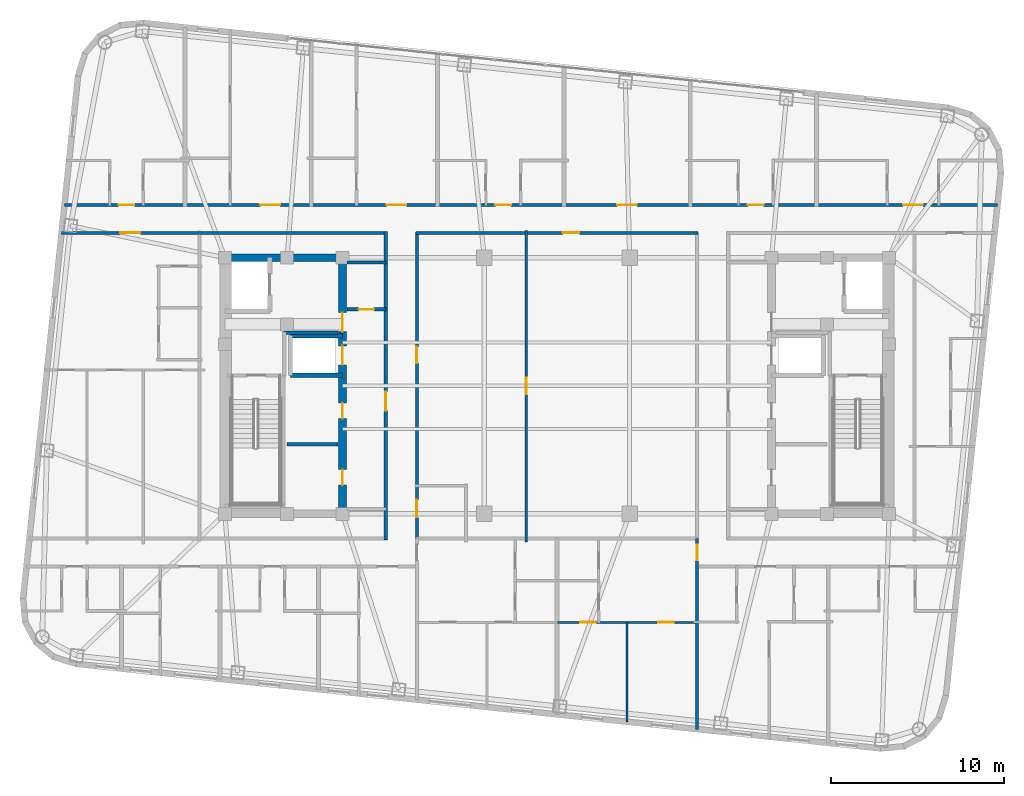
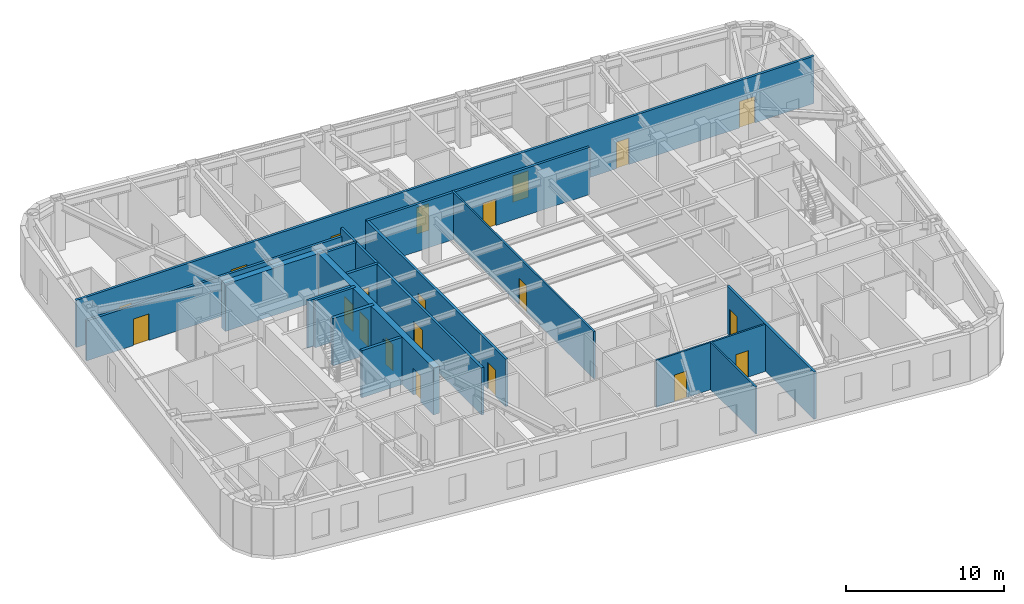
# One storey, part 10 of 15: 21 doors, 17 walls, 21 openings.
"""IFC4 building model written with IfcOpenShell, lengths in metres."""

from ifc_helpers import new_model, si_unit, direction, frame, frame_2d, origin, place, context, subcontext, project, spatial, rectangle, extrude, material, layer, layer_set, type_object, element, fill, save


model = new_model("IFC4")

# Units and contexts
model_context = context("Model", 3, precision=1e-05, world=origin(), true_north=direction((0.0, 1.0)))
body_context = subcontext(model_context, "Body", "Model", "MODEL_VIEW")
ifc_project = project(units=[si_unit("LENGTHUNIT", "METRE"), si_unit("AREAUNIT", "SQUARE_METRE"), si_unit("VOLUMEUNIT", "CUBIC_METRE"), si_unit("PLANEANGLEUNIT", "RADIAN"), si_unit("MASSUNIT", "GRAM", prefix="KILO")], contexts=[model_context])

# Site, building, storey
site_placement = place(None, origin())
site = spatial("IfcSite", under=ifc_project, at=site_placement, CompositionType="ELEMENT")
building_placement = place(site_placement, origin())
building = spatial("IfcBuilding", under=site, at=building_placement, Name="Voryun Gate Residences", CompositionType="ELEMENT")
storey_placement = place(building_placement, frame((0.0, 0.0, 263.89990234375)))
storey = spatial("IfcBuildingStorey", under=building, at=storey_placement, Name="L65", CompositionType="ELEMENT", Elevation=263.89990234375)

# Wall
ifc_material_1 = material(Name="Concrete C50/60", Category="concrete")
ifc_layer_1 = layer(ifc_material_1, 0.449951171875, Name="CW_CORE_450")
ifc_layer_set_1 = layer_set([ifc_layer_1], Name="Concrete C50/60")
wall_type_1 = type_object("IfcWallType", Name="CW_CORE_450", PredefinedType="SHEAR", material=ifc_layer_set_1)
wall_1_placement = place(storey_placement, frame((-19.425048828125, 7.39990234375, 0.0), z_axis=(0.0, 0.0, 1.0), x_axis=(1.0, 0.0, 0.0)))
element("IfcWall", 1, at=wall_1_placement, inside=storey, type_object=wall_type_1, Name="L65 Core shear wall CW-L65-WN", PredefinedType="SHEAR", context=body_context, shape_type="SweptSolid", body=[
    extrude(rectangle(XDim=7.25, YDim=0.449951171875, at=frame_2d((3.625, 0.0))), origin(), (0.0, 0.0, 1.0), 3.650146484375),
])

# Wall, openings, doors
wall_2_placement = place(storey_placement, frame((-12.39990234375, -7.39990234375, 0.0), z_axis=(0.0, 0.0, 1.0), x_axis=(0.0, 1.0, 0.0)))
wall_2 = element("IfcWall", 2, at=wall_2_placement, inside=storey, type_object=wall_type_1, Name="L65 Core shear wall CW-L65-WE", PredefinedType="SHEAR", context=body_context, shape_type="SweptSolid", body=[
    extrude(rectangle(XDim=14.7998046875, YDim=0.449951171875, at=frame_2d((7.39990234375, 0.0))), origin(), (0.0, 0.0, 1.0), 3.650146484375),
])
opening_1_placement = place(wall_2_placement, frame((8.60009765625, 0.0, 0.0)))
opening_1 = element("IfcOpeningElement", 3, at=opening_1_placement, cuts=wall_2, Name="Opening LD2", PredefinedType="OPENING", context=body_context, shape_type="SweptSolid", body=[
    extrude(rectangle(XDim=1.10009765625, YDim=2.050048828125, at=frame_2d((0.550048828125, 1.02490234375))), frame((0.0, 0.235107421875, 0.0), z_axis=(0.0, -1.0, 0.0), x_axis=(1.0, 0.0, 0.0)), (0.0, 0.0, 1.0), 0.469970703125),
])
opening_2_placement = place(wall_2_placement, frame((10.530029296875, 0.0, 0.0)))
opening_2 = element("IfcOpeningElement", 4, at=opening_2_placement, cuts=wall_2, Name="Opening D-FD60-2", PredefinedType="OPENING", context=body_context, shape_type="SweptSolid", body=[
    extrude(rectangle(XDim=1.10009765625, YDim=2.050048828125, at=frame_2d((0.550048828125, 1.02490234375))), frame((0.0, 0.235107421875, 0.0), z_axis=(0.0, -1.0, 0.0), x_axis=(1.0, 0.0, 0.0)), (0.0, 0.0, 1.0), 0.469970703125),
])
opening_3_placement = place(wall_2_placement, frame((1.64990234375, 0.0, 0.0)))
opening_3 = element("IfcOpeningElement", 5, at=opening_3_placement, cuts=wall_2, Name="Opening D-FD60-4", PredefinedType="OPENING", context=body_context, shape_type="SweptSolid", body=[
    extrude(rectangle(XDim=0.89990234375, YDim=2.050048828125, at=frame_2d((0.449951171875, 1.02490234375))), frame((0.0, 0.235107421875, 0.0), z_axis=(0.0, -1.0, 0.0), x_axis=(1.0, 0.0, 0.0)), (0.0, 0.0, 1.0), 0.469970703125),
])
opening_4_placement = place(wall_2_placement, frame((5.5, 0.0, 0.0)))
opening_4 = element("IfcOpeningElement", 6, at=opening_4_placement, cuts=wall_2, Name="Opening D-FD60-4", PredefinedType="OPENING", context=body_context, shape_type="SweptSolid", body=[
    extrude(rectangle(XDim=0.89990234375, YDim=2.050048828125, at=frame_2d((0.449951171875, 1.02490234375))), frame((0.0, 0.235107421875, 0.0), z_axis=(0.0, -1.0, 0.0), x_axis=(1.0, 0.0, 0.0)), (0.0, 0.0, 1.0), 0.469970703125),
])
ifc_material_2 = material(Name="Painted steel fire door", Category="steel")
door_type_1 = type_object("IfcDoorType", Name="DR_FD60_FFLOB_1100", OperationType="NOTDEFINED", PredefinedType="DOOR", material=ifc_material_2)
door_1_placement = place(opening_2_placement, origin())
door_1 = element("IfcDoor", 7, at=door_1_placement, inside=storey, type_object=door_type_1, Name="Door DR-L65-CLOB-W", OperationType="SINGLE_SWING_LEFT", OverallHeight=2.050048828125, OverallWidth=1.10009765625, PredefinedType="DOOR", context=body_context, shape_type="SweptSolid", body=[
    extrude(rectangle(XDim=1.10009765625, YDim=2.050048828125, at=frame_2d((0.550048828125, 1.02490234375))), frame((0.0, 0.02490234375, 0.0), z_axis=(0.0, -1.0, 0.0), x_axis=(1.0, 0.0, 0.0)), (0.0, 0.0, 1.0), 0.050048828125),
])
fill(opening_2, door_1)
ifc_material_3 = material(Name="Painted steel fire door", Category="steel")
door_type_2 = type_object("IfcDoorType", Name="DR_FD60_RISER_900", OperationType="NOTDEFINED", PredefinedType="DOOR", material=ifc_material_3)
door_2_placement = place(opening_3_placement, origin())
door_2 = element("IfcDoor", 8, at=door_2_placement, inside=storey, type_object=door_type_2, Name="Door DR-L65-RECW-HS", OperationType="SINGLE_SWING_LEFT", OverallHeight=2.050048828125, OverallWidth=0.89990234375, PredefinedType="DOOR", context=body_context, shape_type="SweptSolid", body=[
    extrude(rectangle(XDim=0.89990234375, YDim=2.050048828125, at=frame_2d((0.449951171875, 1.02490234375))), frame((0.0, 0.02490234375, 0.0), z_axis=(0.0, -1.0, 0.0), x_axis=(1.0, 0.0, 0.0)), (0.0, 0.0, 1.0), 0.050048828125),
])
fill(opening_3, door_2)
door_3_placement = place(opening_4_placement, origin())
door_3 = element("IfcDoor", 9, at=door_3_placement, inside=storey, type_object=door_type_2, Name="Door DR-L65-RECW-HN", OperationType="SINGLE_SWING_RIGHT", OverallHeight=2.050048828125, OverallWidth=0.89990234375, PredefinedType="DOOR", context=body_context, shape_type="SweptSolid", body=[
    extrude(rectangle(XDim=0.89990234375, YDim=2.050048828125, at=frame_2d((0.449951171875, 1.02490234375))), frame((0.0, 0.02490234375, 0.0), z_axis=(0.0, -1.0, 0.0), x_axis=(1.0, 0.0, 0.0)), (0.0, 0.0, 1.0), 0.050048828125),
])
fill(opening_4, door_3)
ifc_material_4 = material(Name="Anodised aluminium", Category="aluminium")
door_type_3 = type_object("IfcDoorType", Name="DR_LD_PASS_1100", OperationType="NOTDEFINED", PredefinedType="DOOR", material=ifc_material_4)
door_4_placement = place(opening_1_placement, origin())
door_4 = element("IfcDoor", 10, at=door_4_placement, inside=storey, type_object=door_type_3, Name="Lift EL-P7 sliding landing door L65", OperationType="SLIDING_TO_LEFT", OverallHeight=2.050048828125, OverallWidth=1.10009765625, PredefinedType="DOOR", context=body_context, shape_type="SweptSolid", body=[
    extrude(rectangle(XDim=1.10009765625, YDim=2.050048828125, at=frame_2d((0.550048828125, 1.02490234375))), frame((0.0, 0.02490234375, 0.0), z_axis=(0.0, -1.0, 0.0), x_axis=(1.0, 0.0, 0.0)), (0.0, 0.0, 1.0), 0.050048828125),
])
fill(opening_1, door_4)

# Wall
ifc_material_5 = material(Name="Gypsum acoustic fireboard")
ifc_layer_2 = layer(ifc_material_5, 0.179931640625, Name="W_CORR_RATED_180")
ifc_layer_set_2 = layer_set([ifc_layer_2], Name="Gypsum acoustic fireboard")
wall_type_2 = type_object("IfcWallType", Name="W_CORR_RATED_180", PredefinedType="PARTITIONING", material=ifc_layer_set_2)
wall_3_placement = place(storey_placement, frame((-12.14990234375, 7.1201171875, 0.0), z_axis=(0.0, 0.0, 1.0), x_axis=(1.0, 0.0, 0.0)))
element("IfcWall", 11, at=wall_3_placement, inside=storey, type_object=wall_type_2, Name="Partition wall WP-L65-PLBN-W", PredefinedType="PARTITIONING", context=body_context, shape_type="SweptSolid", body=[
    extrude(rectangle(XDim=2.27001953125, YDim=0.179931640625, at=frame_2d((1.135009765625, 0.0))), origin(), (0.0, 0.0, 1.0), 3.650146484375),
])

# Wall, opening, door
wall_4_placement = place(storey_placement, frame((-9.89990234375, -8.929931640625, 0.0), z_axis=(0.0, 0.0, 1.0), x_axis=(0.0, 1.0, 0.0)))
wall_4 = element("IfcWall", 12, at=wall_4_placement, inside=storey, type_object=wall_type_2, Name="Partition wall WP-L65-PLBW-FULL", PredefinedType="PARTITIONING", context=body_context, shape_type="SweptSolid", body=[
    extrude(rectangle(XDim=17.85986328125, YDim=0.179931640625, at=frame_2d((8.929931640625, 0.0))), origin(), (0.0, 0.0, 1.0), 3.650146484375),
])
opening_5_placement = place(wall_4_placement, frame((7.487060546875, 0.0, 0.0)))
opening_5 = element("IfcOpeningElement", 13, at=opening_5_placement, cuts=wall_4, Name="Opening D-FD60-2", PredefinedType="OPENING", context=body_context, shape_type="SweptSolid", body=[
    extrude(rectangle(XDim=1.10009765625, YDim=2.050048828125, at=frame_2d((0.550048828125, 1.02490234375))), frame((0.0, 0.099853515625, 0.0), z_axis=(0.0, -1.0, 0.0), x_axis=(1.0, 0.0, 0.0)), (0.0, 0.0, 1.0), 0.199951171875),
])
door_5_placement = place(opening_5_placement, origin())
door_5 = element("IfcDoor", 14, at=door_5_placement, inside=storey, type_object=door_type_1, Name="Door DR-L65-PLBW-COR", OperationType="SINGLE_SWING_LEFT", OverallHeight=2.050048828125, OverallWidth=1.10009765625, PredefinedType="DOOR", context=body_context, shape_type="SweptSolid", body=[
    extrude(rectangle(XDim=1.10009765625, YDim=2.050048828125, at=frame_2d((0.550048828125, 1.02490234375))), frame((0.0, 0.02490234375, 0.0), z_axis=(0.0, -1.0, 0.0), x_axis=(1.0, 0.0, 0.0)), (0.0, 0.0, 1.0), 0.050048828125),
])
fill(opening_5, door_5)

wall_5_placement = place(storey_placement, frame((-28.648681640625, 8.840087890625, 0.0), z_axis=(0.0, 0.0, 1.0), x_axis=(1.0, 0.0, 0.0)))
wall_5 = element("IfcWall", 15, at=wall_5_placement, inside=storey, type_object=wall_type_2, Name="Partition wall WP-L65-CWING-WN", PredefinedType="PARTITIONING", context=body_context, shape_type="SweptSolid", body=[
    extrude(rectangle(XDim=18.768798828125, YDim=0.179931640625, at=frame_2d((9.38427734375, 0.0))), origin(), (0.0, 0.0, 1.0), 3.090087890625),
])
opening_6_placement = place(wall_5_placement, frame((3.40966796875, 0.0, 0.0)))
opening_6 = element("IfcOpeningElement", 16, at=opening_6_placement, cuts=wall_5, Name="Opening D-UNIT-1", PredefinedType="OPENING", context=body_context, shape_type="SweptSolid", body=[
    extrude(rectangle(XDim=1.14990234375, YDim=2.050048828125, at=frame_2d((0.574951171875, 1.02490234375))), frame((0.0, 0.099853515625, 0.0), z_axis=(0.0, -1.0, 0.0), x_axis=(1.0, 0.0, 0.0)), (0.0, 0.0, 1.0), 0.199951171875),
])
ifc_material_6 = material(Name="Armoured timber-clad fire door", Category="wood")
door_type_4 = type_object("IfcDoorType", Name="DR_UNIT_ENTRY_1150", OperationType="NOTDEFINED", PredefinedType="DOOR", material=ifc_material_6)
door_6_placement = place(opening_6_placement, origin())
door_6 = element("IfcDoor", 17, at=door_6_placement, inside=storey, type_object=door_type_4, Name="Door DR-L65-WE1N", OperationType="SINGLE_SWING_LEFT", OverallHeight=2.050048828125, OverallWidth=1.14990234375, PredefinedType="DOOR", context=body_context, shape_type="SweptSolid", body=[
    extrude(rectangle(XDim=1.14990234375, YDim=2.050048828125, at=frame_2d((0.574951171875, 1.02490234375))), frame((0.0, 0.02490234375, 0.0), z_axis=(0.0, -1.0, 0.0), x_axis=(1.0, 0.0, 0.0)), (0.0, 0.0, 1.0), 0.050048828125),
])
fill(opening_6, door_6)

wall_6_placement = place(storey_placement, frame((-8.14990234375, 8.840087890625, 0.0), z_axis=(0.0, 0.0, 1.0), x_axis=(1.0, 0.0, 0.0)))
wall_6 = element("IfcWall", 18, at=wall_6_placement, inside=storey, type_object=wall_type_2, Name="Partition wall WP-L65-Z3N", PredefinedType="PARTITIONING", context=body_context, shape_type="SweptSolid", body=[
    extrude(rectangle(XDim=16.2998046875, YDim=0.179931640625, at=frame_2d((8.14990234375, 0.0))), origin(), (0.0, 0.0, 1.0), 3.650146484375),
])
opening_7_placement = place(wall_6_placement, frame((8.489990234375, 0.0, 0.0)))
opening_7 = element("IfcOpeningElement", 19, at=opening_7_placement, cuts=wall_6, Name="Opening D-INT-1", PredefinedType="OPENING", context=body_context, shape_type="SweptSolid", body=[
    extrude(rectangle(XDim=0.949951171875, YDim=2.050048828125, at=frame_2d((0.47509765625, 1.02490234375))), frame((0.0, 0.099853515625, 0.0), z_axis=(0.0, -1.0, 0.0), x_axis=(1.0, 0.0, 0.0)), (0.0, 0.0, 1.0), 0.199951171875),
])
ifc_material_7 = material(Name="Architectural oak veneer")
door_type_5 = type_object("IfcDoorType", Name="DR_INT_ROOM_950", OperationType="NOTDEFINED", PredefinedType="DOOR", material=ifc_material_7)
door_7_placement = place(opening_7_placement, origin())
door_7 = element("IfcDoor", 20, at=door_7_placement, inside=storey, type_object=door_type_5, Name="Door DR-L65-CMIDZ3N", OperationType="SINGLE_SWING_LEFT", OverallHeight=2.050048828125, OverallWidth=0.949951171875, PredefinedType="DOOR", context=body_context, shape_type="SweptSolid", body=[
    extrude(rectangle(XDim=0.949951171875, YDim=2.050048828125, at=frame_2d((0.47509765625, 1.02490234375))), frame((0.0, 0.02490234375, 0.0), z_axis=(0.0, -1.0, 0.0), x_axis=(1.0, 0.0, 0.0)), (0.0, 0.0, 1.0), 0.050048828125),
])
fill(opening_7, door_7)

# Wall, openings, doors
wall_7_placement = place(storey_placement, frame((-8.10009765625, -8.8798828125, 0.0), z_axis=(0.0, 0.0, 1.0), x_axis=(0.0, 1.0, 0.0)))
wall_7 = element("IfcWall", 21, at=wall_7_placement, inside=storey, type_object=wall_type_2, Name="Partition wall WP-L65-Z3W", PredefinedType="PARTITIONING", context=body_context, shape_type="SweptSolid", body=[
    extrude(rectangle(XDim=17.759765625, YDim=0.179931640625, at=frame_2d((8.8798828125, 0.0))), origin(), (0.0, 0.0, 1.0), 3.650146484375),
])
opening_8_placement = place(wall_7_placement, frame((1.27587890625, 0.0, 0.0)))
opening_8 = element("IfcOpeningElement", 22, at=opening_8_placement, cuts=wall_7, Name="Opening D-AWC-1", PredefinedType="OPENING", context=body_context, shape_type="SweptSolid", body=[
    extrude(rectangle(XDim=1.0, YDim=2.050048828125, at=frame_2d((0.5, 1.02490234375))), frame((0.0, 0.099853515625, 0.0), z_axis=(0.0, -1.0, 0.0), x_axis=(1.0, 0.0, 0.0)), (0.0, 0.0, 1.0), 0.199951171875),
])
opening_9_placement = place(wall_7_placement, frame((10.180908203125, 0.0, 0.0)))
opening_9 = element("IfcOpeningElement", 23, at=opening_9_placement, cuts=wall_7, Name="Opening D-INT-1", PredefinedType="OPENING", context=body_context, shape_type="SweptSolid", body=[
    extrude(rectangle(XDim=0.949951171875, YDim=2.050048828125, at=frame_2d((0.47509765625, 1.02490234375))), frame((0.0, 0.099853515625, 0.0), z_axis=(0.0, -1.0, 0.0), x_axis=(1.0, 0.0, 0.0)), (0.0, 0.0, 1.0), 0.199951171875),
])
ifc_material_8 = material(Name="Architectural oak veneer")
door_type_6 = type_object("IfcDoorType", Name="DR_ACC_WC_1000", OperationType="NOTDEFINED", PredefinedType="DOOR", material=ifc_material_8)
door_8_placement = place(opening_8_placement, origin())
door_8 = element("IfcDoor", 24, at=door_8_placement, inside=storey, type_object=door_type_6, Name="Door DR-L65-CMWC-D", OperationType="SINGLE_SWING_LEFT", OverallHeight=2.050048828125, OverallWidth=1.0, PredefinedType="DOOR", context=body_context, shape_type="SweptSolid", body=[
    extrude(rectangle(XDim=1.0, YDim=2.050048828125, at=frame_2d((0.5, 1.02490234375))), frame((0.0, 0.02490234375, 0.0), z_axis=(0.0, -1.0, 0.0), x_axis=(1.0, 0.0, 0.0)), (0.0, 0.0, 1.0), 0.050048828125),
])
fill(opening_8, door_8)
door_9_placement = place(opening_9_placement, origin())
door_9 = element("IfcDoor", 25, at=door_9_placement, inside=storey, type_object=door_type_5, Name="Door DR-L65-CMIDZ3W", OperationType="SINGLE_SWING_RIGHT", OverallHeight=2.050048828125, OverallWidth=0.949951171875, PredefinedType="DOOR", context=body_context, shape_type="SweptSolid", body=[
    extrude(rectangle(XDim=0.949951171875, YDim=2.050048828125, at=frame_2d((0.47509765625, 1.02490234375))), frame((0.0, 0.02490234375, 0.0), z_axis=(0.0, -1.0, 0.0), x_axis=(1.0, 0.0, 0.0)), (0.0, 0.0, 1.0), 0.050048828125),
])
fill(opening_9, door_9)

wall_8_placement = place(storey_placement, frame((-28.4794921875, 10.449951171875, 0.0), z_axis=(0.0, 0.0, 1.0), x_axis=(1.0, 0.0, 0.0)))
wall_8 = element("IfcWall", 26, at=wall_8_placement, inside=storey, type_object=wall_type_2, Name="Partition wall WP-L65-NCORR", PredefinedType="PARTITIONING", context=body_context, shape_type="SweptSolid", body=[
    extrude(rectangle(XDim=53.95556640625, YDim=0.179931640625, at=frame_2d((26.977783203125, 0.0))), origin(), (0.0, 0.0, 1.0), 3.650146484375),
])
opening_10_placement = place(wall_8_placement, frame((3.143310546875, 0.0, 0.0)))
opening_10 = element("IfcOpeningElement", 27, at=opening_10_placement, cuts=wall_8, Name="Opening D-INT-2", PredefinedType="OPENING", context=body_context, shape_type="SweptSolid", body=[
    extrude(rectangle(XDim=0.89990234375, YDim=2.050048828125, at=frame_2d((0.449951171875, 1.02490234375))), frame((0.0, 0.099853515625, 0.0), z_axis=(0.0, -1.0, 0.0), x_axis=(1.0, 0.0, 0.0)), (0.0, 0.0, 1.0), 0.199951171875),
])
opening_11_placement = place(wall_8_placement, frame((11.32763671875, 0.0, 0.0)))
opening_11 = element("IfcOpeningElement", 28, at=opening_11_placement, cuts=wall_8, Name="Opening D-UNIT-1", PredefinedType="OPENING", context=body_context, shape_type="SweptSolid", body=[
    extrude(rectangle(XDim=1.14990234375, YDim=2.050048828125, at=frame_2d((0.574951171875, 1.02490234375))), frame((0.0, 0.099853515625, 0.0), z_axis=(0.0, -1.0, 0.0), x_axis=(1.0, 0.0, 0.0)), (0.0, 0.0, 1.0), 0.199951171875),
])
opening_12_placement = place(wall_8_placement, frame((18.627685546875, 0.0, 0.0)))
opening_12 = element("IfcOpeningElement", 29, at=opening_12_placement, cuts=wall_8, Name="Opening D-UNIT-1", PredefinedType="OPENING", context=body_context, shape_type="SweptSolid", body=[
    extrude(rectangle(XDim=1.14990234375, YDim=2.050048828125, at=frame_2d((0.574951171875, 1.02490234375))), frame((0.0, 0.099853515625, 0.0), z_axis=(0.0, -1.0, 0.0), x_axis=(1.0, 0.0, 0.0)), (0.0, 0.0, 1.0), 0.199951171875),
])
opening_13_placement = place(wall_8_placement, frame((24.92529296875, 0.0, 0.0)))
opening_13 = element("IfcOpeningElement", 30, at=opening_13_placement, cuts=wall_8, Name="Opening D-INT-2", PredefinedType="OPENING", context=body_context, shape_type="SweptSolid", body=[
    extrude(rectangle(XDim=0.89990234375, YDim=2.050048828125, at=frame_2d((0.449951171875, 1.02490234375))), frame((0.0, 0.099853515625, 0.0), z_axis=(0.0, -1.0, 0.0), x_axis=(1.0, 0.0, 0.0)), (0.0, 0.0, 1.0), 0.199951171875),
])
opening_14_placement = place(wall_8_placement, frame((31.954833984375, 0.0, 0.0)))
opening_14 = element("IfcOpeningElement", 31, at=opening_14_placement, cuts=wall_8, Name="Opening D-UNIT-1", PredefinedType="OPENING", context=body_context, shape_type="SweptSolid", body=[
    extrude(rectangle(XDim=1.14990234375, YDim=2.050048828125, at=frame_2d((0.574951171875, 1.02490234375))), frame((0.0, 0.099853515625, 0.0), z_axis=(0.0, -1.0, 0.0), x_axis=(1.0, 0.0, 0.0)), (0.0, 0.0, 1.0), 0.199951171875),
])
opening_15_placement = place(wall_8_placement, frame((39.520263671875, 0.0, 0.0)))
opening_15 = element("IfcOpeningElement", 32, at=opening_15_placement, cuts=wall_8, Name="Opening D-INT-2", PredefinedType="OPENING", context=body_context, shape_type="SweptSolid", body=[
    extrude(rectangle(XDim=0.89990234375, YDim=2.050048828125, at=frame_2d((0.449951171875, 1.02490234375))), frame((0.0, 0.099853515625, 0.0), z_axis=(0.0, -1.0, 0.0), x_axis=(1.0, 0.0, 0.0)), (0.0, 0.0, 1.0), 0.199951171875),
])
opening_16_placement = place(wall_8_placement, frame((48.48681640625, 0.0, 0.0)))
opening_16 = element("IfcOpeningElement", 33, at=opening_16_placement, cuts=wall_8, Name="Opening D-UNIT-1", PredefinedType="OPENING", context=body_context, shape_type="SweptSolid", body=[
    extrude(rectangle(XDim=1.14990234375, YDim=2.050048828125, at=frame_2d((0.574951171875, 1.02490234375))), frame((0.0, 0.099853515625, 0.0), z_axis=(0.0, -1.0, 0.0), x_axis=(1.0, 0.0, 0.0)), (0.0, 0.0, 1.0), 0.199951171875),
])
ifc_material_9 = material(Name="Architectural oak veneer")
door_type_7 = type_object("IfcDoorType", Name="DR_INT_BATH_900", OperationType="NOTDEFINED", PredefinedType="DOOR", material=ifc_material_9)
door_10_placement = place(opening_10_placement, origin())
door_10 = element("IfcDoor", 34, at=door_10_placement, inside=storey, type_object=door_type_7, Name="Door DR-L65-NENT-1", OperationType="SINGLE_SWING_LEFT", OverallHeight=2.050048828125, OverallWidth=0.89990234375, PredefinedType="DOOR", context=body_context, shape_type="SweptSolid", body=[
    extrude(rectangle(XDim=0.89990234375, YDim=2.050048828125, at=frame_2d((0.449951171875, 1.02490234375))), frame((0.0, 0.02490234375, 0.0), z_axis=(0.0, -1.0, 0.0), x_axis=(1.0, 0.0, 0.0)), (0.0, 0.0, 1.0), 0.050048828125),
])
fill(opening_10, door_10)
door_11_placement = place(opening_13_placement, origin())
door_11 = element("IfcDoor", 35, at=door_11_placement, inside=storey, type_object=door_type_7, Name="Door DR-L65-NENT-4", OperationType="SINGLE_SWING_RIGHT", OverallHeight=2.050048828125, OverallWidth=0.89990234375, PredefinedType="DOOR", context=body_context, shape_type="SweptSolid", body=[
    extrude(rectangle(XDim=0.89990234375, YDim=2.050048828125, at=frame_2d((0.449951171875, 1.02490234375))), frame((0.0, 0.02490234375, 0.0), z_axis=(0.0, -1.0, 0.0), x_axis=(1.0, 0.0, 0.0)), (0.0, 0.0, 1.0), 0.050048828125),
])
fill(opening_13, door_11)
door_12_placement = place(opening_15_placement, origin())
door_12 = element("IfcDoor", 36, at=door_12_placement, inside=storey, type_object=door_type_7, Name="Door DR-L65-NENT-6", OperationType="SINGLE_SWING_RIGHT", OverallHeight=2.050048828125, OverallWidth=0.89990234375, PredefinedType="DOOR", context=body_context, shape_type="SweptSolid", body=[
    extrude(rectangle(XDim=0.89990234375, YDim=2.050048828125, at=frame_2d((0.449951171875, 1.02490234375))), frame((0.0, 0.02490234375, 0.0), z_axis=(0.0, -1.0, 0.0), x_axis=(1.0, 0.0, 0.0)), (0.0, 0.0, 1.0), 0.050048828125),
])
fill(opening_15, door_12)
door_13_placement = place(opening_11_placement, origin())
door_13 = element("IfcDoor", 37, at=door_13_placement, inside=storey, type_object=door_type_4, Name="Door DR-L65-NENT-2", OperationType="SINGLE_SWING_RIGHT", OverallHeight=2.050048828125, OverallWidth=1.14990234375, PredefinedType="DOOR", context=body_context, shape_type="SweptSolid", body=[
    extrude(rectangle(XDim=1.14990234375, YDim=2.050048828125, at=frame_2d((0.574951171875, 1.02490234375))), frame((0.0, 0.02490234375, 0.0), z_axis=(0.0, -1.0, 0.0), x_axis=(1.0, 0.0, 0.0)), (0.0, 0.0, 1.0), 0.050048828125),
])
fill(opening_11, door_13)
door_14_placement = place(opening_12_placement, origin())
door_14 = element("IfcDoor", 38, at=door_14_placement, inside=storey, type_object=door_type_4, Name="Door DR-L65-NENT-3", OperationType="SINGLE_SWING_LEFT", OverallHeight=2.050048828125, OverallWidth=1.14990234375, PredefinedType="DOOR", context=body_context, shape_type="SweptSolid", body=[
    extrude(rectangle(XDim=1.14990234375, YDim=2.050048828125, at=frame_2d((0.574951171875, 1.02490234375))), frame((0.0, 0.02490234375, 0.0), z_axis=(0.0, -1.0, 0.0), x_axis=(1.0, 0.0, 0.0)), (0.0, 0.0, 1.0), 0.050048828125),
])
fill(opening_12, door_14)
door_15_placement = place(opening_14_placement, origin())
door_15 = element("IfcDoor", 39, at=door_15_placement, inside=storey, type_object=door_type_4, Name="Door DR-L65-NENT-5", OperationType="SINGLE_SWING_LEFT", OverallHeight=2.050048828125, OverallWidth=1.14990234375, PredefinedType="DOOR", context=body_context, shape_type="SweptSolid", body=[
    extrude(rectangle(XDim=1.14990234375, YDim=2.050048828125, at=frame_2d((0.574951171875, 1.02490234375))), frame((0.0, 0.02490234375, 0.0), z_axis=(0.0, -1.0, 0.0), x_axis=(1.0, 0.0, 0.0)), (0.0, 0.0, 1.0), 0.050048828125),
])
fill(opening_14, door_15)
door_16_placement = place(opening_16_placement, origin())
door_16 = element("IfcDoor", 40, at=door_16_placement, inside=storey, type_object=door_type_4, Name="Door DR-L65-NENT-7", OperationType="SINGLE_SWING_LEFT", OverallHeight=2.050048828125, OverallWidth=1.14990234375, PredefinedType="DOOR", context=body_context, shape_type="SweptSolid", body=[
    extrude(rectangle(XDim=1.14990234375, YDim=2.050048828125, at=frame_2d((0.574951171875, 1.02490234375))), frame((0.0, 0.02490234375, 0.0), z_axis=(0.0, -1.0, 0.0), x_axis=(1.0, 0.0, 0.0)), (0.0, 0.0, 1.0), 0.050048828125),
])
fill(opening_16, door_16)

# Wall, opening, door
wall_9_placement = place(storey_placement, frame((8.10009765625, -19.857177734375, 0.0), z_axis=(0.0, 0.0, 1.0), x_axis=(0.0, 1.0, 0.0)))
wall_9 = element("IfcWall", 41, at=wall_9_placement, inside=storey, type_object=wall_type_2, Name="Partition wall WP-L65-SZV-2", PredefinedType="PARTITIONING", context=body_context, shape_type="SweptSolid", body=[
    extrude(rectangle(XDim=11.01708984375, YDim=0.179931640625, at=frame_2d((5.508544921875, 0.0))), origin(), (0.0, 0.0, 1.0), 3.650146484375),
])
opening_17_placement = place(wall_9_placement, frame((9.767333984375, 0.0, 0.0)))
opening_17 = element("IfcOpeningElement", 42, at=opening_17_placement, cuts=wall_9, Name="Opening D-INT-2", PredefinedType="OPENING", context=body_context, shape_type="SweptSolid", body=[
    extrude(rectangle(XDim=0.89990234375, YDim=2.050048828125, at=frame_2d((0.449951171875, 1.02490234375))), frame((0.0, 0.099853515625, 0.0), z_axis=(0.0, -1.0, 0.0), x_axis=(1.0, 0.0, 0.0)), (0.0, 0.0, 1.0), 0.199951171875),
])
door_17_placement = place(opening_17_placement, origin())
door_17 = element("IfcDoor", 43, at=door_17_placement, inside=storey, type_object=door_type_7, Name="Door DR-L65-SZENT-2", OperationType="SINGLE_SWING_RIGHT", OverallHeight=2.050048828125, OverallWidth=0.89990234375, PredefinedType="DOOR", context=body_context, shape_type="SweptSolid", body=[
    extrude(rectangle(XDim=0.89990234375, YDim=2.050048828125, at=frame_2d((0.449951171875, 1.02490234375))), frame((0.0, 0.02490234375, 0.0), z_axis=(0.0, -1.0, 0.0), x_axis=(1.0, 0.0, 0.0)), (0.0, 0.0, 1.0), 0.050048828125),
])
fill(opening_17, door_17)

# Walls
ifc_material_10 = material(Name="Concrete C40/50", Category="concrete")
ifc_layer_3 = layer(ifc_material_10, 0.199951171875, Name="W_FF_LOBBY_200")
ifc_layer_set_3 = layer_set([ifc_layer_3], Name="Concrete C40/50")
wall_type_3 = type_object("IfcWallType", Name="W_FF_LOBBY_200", PredefinedType="PARTITIONING", material=ifc_layer_set_3)
wall_10_placement = place(storey_placement, frame((-15.820068359375, 3.06005859375, 0.0), z_axis=(0.0, 0.0, 1.0), x_axis=(1.0, 0.0, 0.0)))
element("IfcWall", 44, at=wall_10_placement, inside=storey, type_object=wall_type_3, Name="Partition wall WP-L65-FFPS-W", PredefinedType="PARTITIONING", context=body_context, shape_type="SweptSolid", body=[
    extrude(rectangle(XDim=3.16015625, YDim=0.199951171875, at=frame_2d((1.580078125, 0.0))), origin(), (0.0, 0.0, 1.0), 3.650146484375),
])
wall_11_placement = place(storey_placement, frame((-15.60009765625, -3.389892578125, 0.0), z_axis=(0.0, 0.0, 1.0), x_axis=(1.0, 0.0, 0.0)))
element("IfcWall", 45, at=wall_11_placement, inside=storey, type_object=wall_type_3, Name="Partition wall WP-L65-RECEY-W", PredefinedType="PARTITIONING", context=body_context, shape_type="SweptSolid", body=[
    extrude(rectangle(XDim=2.940185546875, YDim=0.199951171875, at=frame_2d((1.47021484375, 0.0))), origin(), (0.0, 0.0, 1.0), 3.650146484375),
])

# Wall, opening, door
wall_12_placement = place(storey_placement, frame((-12.14990234375, 4.409912109375, 0.0), z_axis=(0.0, 0.0, 1.0), x_axis=(1.0, 0.0, 0.0)))
wall_12 = element("IfcWall", 46, at=wall_12_placement, inside=storey, type_object=wall_type_3, Name="Partition wall WP-L65-CSFLKS-W", PredefinedType="PARTITIONING", context=body_context, shape_type="SweptSolid", body=[
    extrude(rectangle(XDim=2.27001953125, YDim=0.199951171875, at=frame_2d((1.135009765625, 0.0))), origin(), (0.0, 0.0, 1.0), 3.650146484375),
])
opening_18_placement = place(wall_12_placement, frame((0.68505859375, 0.0, 0.0)))
opening_18 = element("IfcOpeningElement", 47, at=opening_18_placement, cuts=wall_12, Name="Opening D-FD60-4", PredefinedType="OPENING", context=body_context, shape_type="SweptSolid", body=[
    extrude(rectangle(XDim=0.89990234375, YDim=2.050048828125, at=frame_2d((0.449951171875, 1.02490234375))), frame((0.0, 0.110107421875, 0.0), z_axis=(0.0, -1.0, 0.0), x_axis=(1.0, 0.0, 0.0)), (0.0, 0.0, 1.0), 0.219970703125),
])
door_18_placement = place(opening_18_placement, origin())
door_18 = element("IfcDoor", 48, at=door_18_placement, inside=storey, type_object=door_type_2, Name="Door DR-L65-CSFLK-W", OperationType="SINGLE_SWING_LEFT", OverallHeight=2.050048828125, OverallWidth=0.89990234375, PredefinedType="DOOR", context=body_context, shape_type="SweptSolid", body=[
    extrude(rectangle(XDim=0.89990234375, YDim=2.050048828125, at=frame_2d((0.449951171875, 1.02490234375))), frame((0.0, 0.02490234375, 0.0), z_axis=(0.0, -1.0, 0.0), x_axis=(1.0, 0.0, 0.0)), (0.0, 0.0, 1.0), 0.050048828125),
])
fill(opening_18, door_18)

# Walls
ifc_material_11 = material(Name="Concrete C50/60", Category="concrete")
ifc_layer_4 = layer(ifc_material_11, 0.25, Name="W_SHAFT_RC250")
ifc_layer_set_4 = layer_set([ifc_layer_4], Name="Concrete C50/60")
wall_type_4 = type_object("IfcWallType", Name="W_SHAFT_RC250", PredefinedType="SOLIDWALL", material=ifc_layer_set_4)
for number, where, z_axis, x_axis, name in (
    (49, (-15.39990234375, 0.60009765625, 0.0), (0.0, 0.0, 1.0), (1.0, 0.0, 0.0), "Lift shaft wall WSH-L65-EL-P7-S"),
    (50, (-12.39990234375, 2.89990234375, 0.0), (0.0, 0.0, 1.0), (-1.0, 0.0, 0.0), "Lift shaft wall WSH-L65-EL-P7-N"),
):
    element("IfcWall", number, at=place(storey_placement, frame(where, z_axis=z_axis, x_axis=x_axis)), inside=storey, type_object=wall_type_4, Name=name, PredefinedType="SOLIDWALL", context=body_context, shape_type="SweptSolid", body=[
        extrude(rectangle(XDim=3.0, YDim=0.25, at=frame_2d((1.5, 0.0))), origin(), (0.0, 0.0, 1.0), 3.650146484375),
    ])

# Wall, opening, door
ifc_material_12 = material(Name="Gypsum acoustic partition")
ifc_layer_5 = layer(ifc_material_12, 0.125, Name="W_UNIT_PART_125")
ifc_layer_set_5 = layer_set([ifc_layer_5], Name="Gypsum acoustic partition")
wall_type_5 = type_object("IfcWallType", Name="W_UNIT_PART_125", PredefinedType="PARTITIONING", material=ifc_layer_set_5)
wall_13_placement = place(storey_placement, frame((-1.77294921875, -9.02001953125, 0.0), z_axis=(0.0, 0.0, 1.0), x_axis=(0.0, 1.0, 0.0)))
wall_13 = element("IfcWall", 51, at=wall_13_placement, inside=storey, type_object=wall_type_5, Name="Partition wall WP-L65-MIDX-0", PredefinedType="PARTITIONING", context=body_context, shape_type="SweptSolid", body=[
    extrude(rectangle(XDim=17.989990234375, YDim=0.125, at=frame_2d((8.9951171875, 0.0))), origin(), (0.0, 0.0, 1.0), 3.650146484375),
])
opening_19_placement = place(wall_13_placement, frame((8.52001953125, 0.0, 0.0)))
opening_19 = element("IfcOpeningElement", 52, at=opening_19_placement, cuts=wall_13, Name="Opening D-INT-1", PredefinedType="OPENING", context=body_context, shape_type="SweptSolid", body=[
    extrude(rectangle(XDim=0.949951171875, YDim=2.050048828125, at=frame_2d((0.47509765625, 1.02490234375))), frame((0.0, 0.072509765625, 0.0), z_axis=(0.0, -1.0, 0.0), x_axis=(1.0, 0.0, 0.0)), (0.0, 0.0, 1.0), 0.14501953125),
])
door_19_placement = place(opening_19_placement, origin())
door_19 = element("IfcDoor", 53, at=door_19_placement, inside=storey, type_object=door_type_5, Name="Door DR-L65-MIDX-0", OperationType="SINGLE_SWING_LEFT", OverallHeight=2.050048828125, OverallWidth=0.949951171875, PredefinedType="DOOR", context=body_context, shape_type="SweptSolid", body=[
    extrude(rectangle(XDim=0.949951171875, YDim=2.050048828125, at=frame_2d((0.47509765625, 1.02490234375))), frame((0.0, 0.02490234375, 0.0), z_axis=(0.0, -1.0, 0.0), x_axis=(1.0, 0.0, 0.0)), (0.0, 0.0, 1.0), 0.050048828125),
])
fill(opening_19, door_19)

# Wall, openings, doors
wall_14_placement = place(storey_placement, frame((0.02001953125, -13.679931640625, 0.0), z_axis=(0.0, 0.0, 1.0), x_axis=(1.0, 0.0, 0.0)))
wall_14 = element("IfcWall", 54, at=wall_14_placement, inside=storey, type_object=wall_type_5, Name="Partition wall WP-L65-SC2-HZ", PredefinedType="PARTITIONING", context=body_context, shape_type="SweptSolid", body=[
    extrude(rectangle(XDim=7.992431640625, YDim=0.125, at=frame_2d((3.99609375, 0.0))), origin(), (0.0, 0.0, 1.0), 3.650146484375),
])
opening_20_placement = place(wall_14_placement, frame((1.3232421875, 0.0, 0.0)))
opening_20 = element("IfcOpeningElement", 55, at=opening_20_placement, cuts=wall_14, Name="Opening D-INT-2", PredefinedType="OPENING", context=body_context, shape_type="SweptSolid", body=[
    extrude(rectangle(XDim=0.89990234375, YDim=2.050048828125, at=frame_2d((0.449951171875, 1.02490234375))), frame((0.0, 0.072509765625, 0.0), z_axis=(0.0, -1.0, 0.0), x_axis=(1.0, 0.0, 0.0)), (0.0, 0.0, 1.0), 0.14501953125),
])
opening_21_placement = place(wall_14_placement, frame((5.8369140625, 0.0, 0.0)))
opening_21 = element("IfcOpeningElement", 56, at=opening_21_placement, cuts=wall_14, Name="Opening D-INT-2", PredefinedType="OPENING", context=body_context, shape_type="SweptSolid", body=[
    extrude(rectangle(XDim=0.89990234375, YDim=2.050048828125, at=frame_2d((0.449951171875, 1.02490234375))), frame((0.0, 0.072509765625, 0.0), z_axis=(0.0, -1.0, 0.0), x_axis=(1.0, 0.0, 0.0)), (0.0, 0.0, 1.0), 0.14501953125),
])
door_20_placement = place(opening_20_placement, origin())
door_20 = element("IfcDoor", 57, at=door_20_placement, inside=storey, type_object=door_type_7, Name="Door DR-L65-SC2-DMB", OperationType="SINGLE_SWING_LEFT", OverallHeight=2.050048828125, OverallWidth=0.89990234375, PredefinedType="DOOR", context=body_context, shape_type="SweptSolid", body=[
    extrude(rectangle(XDim=0.89990234375, YDim=2.050048828125, at=frame_2d((0.449951171875, 1.02490234375))), frame((0.0, 0.02490234375, 0.0), z_axis=(0.0, -1.0, 0.0), x_axis=(1.0, 0.0, 0.0)), (0.0, 0.0, 1.0), 0.050048828125),
])
fill(opening_20, door_20)
door_21_placement = place(opening_21_placement, origin())
door_21 = element("IfcDoor", 58, at=door_21_placement, inside=storey, type_object=door_type_7, Name="Door DR-L65-SC2-DBD2", OperationType="SINGLE_SWING_RIGHT", OverallHeight=2.050048828125, OverallWidth=0.89990234375, PredefinedType="DOOR", context=body_context, shape_type="SweptSolid", body=[
    extrude(rectangle(XDim=0.89990234375, YDim=2.050048828125, at=frame_2d((0.449951171875, 1.02490234375))), frame((0.0, 0.02490234375, 0.0), z_axis=(0.0, -1.0, 0.0), x_axis=(1.0, 0.0, 0.0)), (0.0, 0.0, 1.0), 0.050048828125),
])
fill(opening_21, door_21)

# Wall
wall_15_placement = place(storey_placement, frame((4.050048828125, -19.431640625, 0.0), z_axis=(0.0, 0.0, 1.0), x_axis=(0.0, 1.0, 0.0)))
element("IfcWall", 59, at=wall_15_placement, inside=storey, type_object=wall_type_5, Name="Partition wall WP-L65-SC2-VBD", PredefinedType="PARTITIONING", context=body_context, shape_type="SweptSolid", body=[
    extrude(rectangle(XDim=5.791748046875, YDim=0.125, at=frame_2d((2.89599609375, 0.0))), origin(), (0.0, 0.0, 1.0), 3.650146484375),
])

save(model, "model.ifc")
